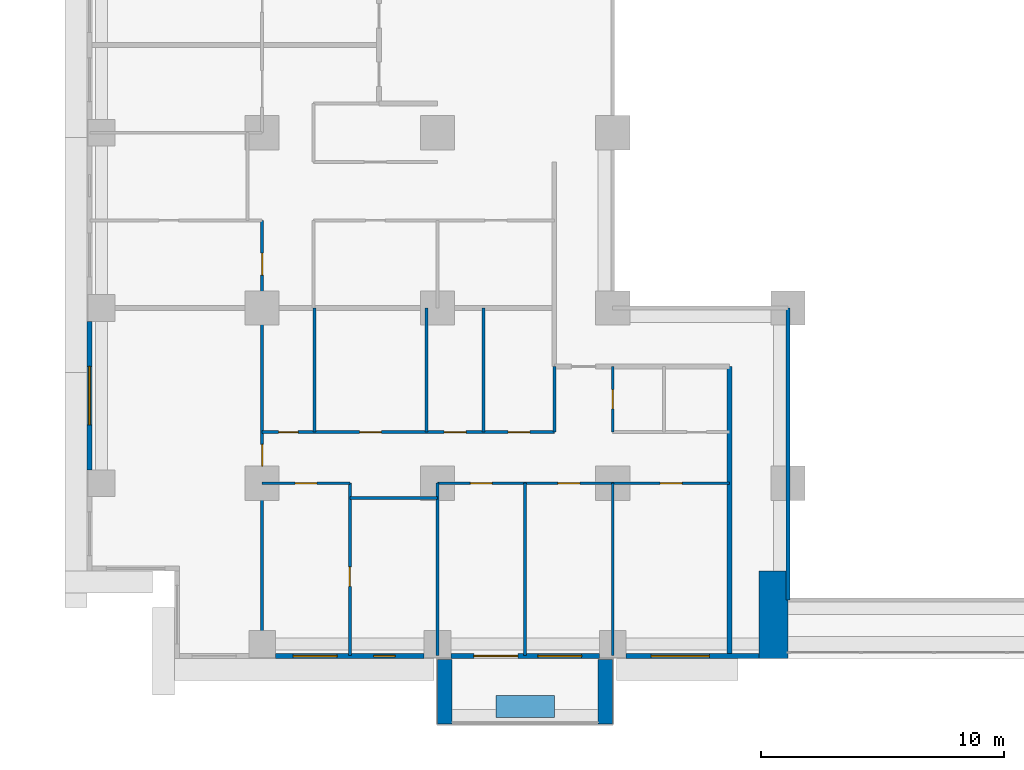
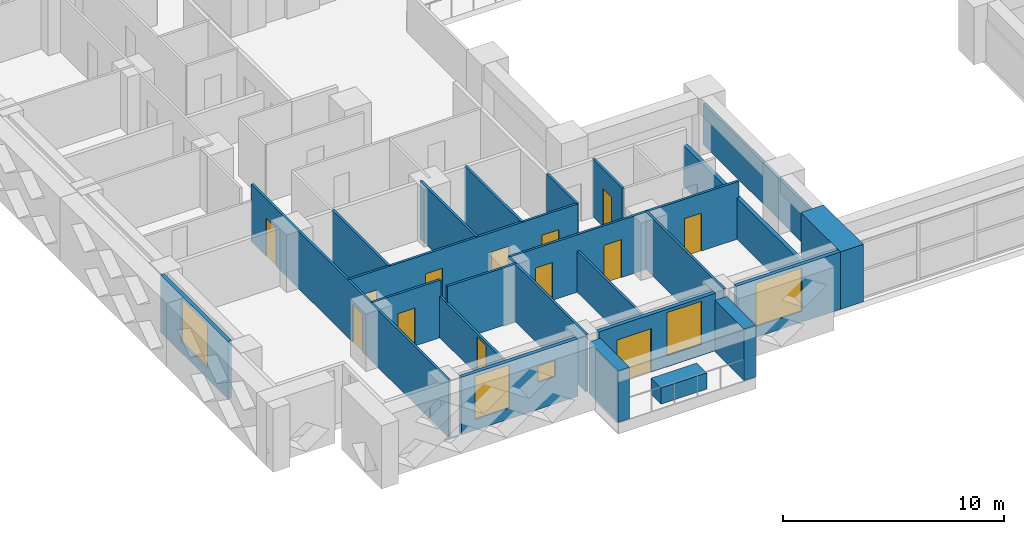
# One storey, part 6 of 17: 24 walls, 13 doors, 5 windows, 18 openings.
"""IFC4 building model written with IfcOpenShell, lengths in metres."""

from ifc_helpers import new_model, si_unit, direction, frame, frame_2d, origin, place, context, subcontext, project, spatial, rectangle, extrude, material, layer, layer_set, type_object, element, fill, save


model = new_model("IFC4")

# Units and contexts
model_context = context("Model", 3, precision=1e-05, world=origin(), true_north=direction((0.0, 1.0)))
body_context = subcontext(model_context, "Body", "Model", "MODEL_VIEW")
ifc_project = project(units=[si_unit("LENGTHUNIT", "METRE"), si_unit("AREAUNIT", "SQUARE_METRE"), si_unit("VOLUMEUNIT", "CUBIC_METRE"), si_unit("PLANEANGLEUNIT", "RADIAN"), si_unit("MASSUNIT", "GRAM", prefix="KILO")], contexts=[model_context])

# Site, building, storey
site_placement = place(None, origin())
site = spatial("IfcSite", under=ifc_project, at=site_placement, CompositionType="ELEMENT")
building_placement = place(site_placement, origin())
building = spatial("IfcBuilding", under=site, at=building_placement, Name="Saffron Iwan Residences", CompositionType="ELEMENT")
storey_placement = place(building_placement, frame((0.0, 0.0, 55.0)))
storey = spatial("IfcBuildingStorey", under=building, at=storey_placement, Name="L13", CompositionType="ELEMENT", Elevation=55.0)

# Walls
ifc_material_1 = material(Name="Fire-rated glazing", Category="glass")
ifc_layer_1 = layer(ifc_material_1, 0.14990234375)
ifc_layer_set_1 = layer_set([ifc_layer_1], Name="Fire-rated glazing")
wall_type_1 = type_object("IfcWallType", Name="Atrium glazed screen 150", PredefinedType="SOLIDWALL", material=ifc_layer_set_1)
wall_1_placement = place(storey_placement, frame((43.199951171875, 36.0, 0.0), z_axis=(0.0, 0.0, 1.0), x_axis=(0.0, 1.0, 0.0)))
element("IfcWall", 1, at=wall_1_placement, inside=storey, type_object=wall_type_1, Name="W-L13-SCREEN-v43.2-36", PredefinedType="SOLIDWALL", context=body_context, shape_type="SweptSolid", body=[
    extrude(rectangle(XDim=12.0, YDim=0.14990234375, at=frame_2d((6.0, 0.0))), origin(), (0.0, 0.0, 1.0), 2.280029296875),
])
ifc_material_2 = material(Name="Concrete C50/60 white painted", Category="concrete")
ifc_layer_2 = layer(ifc_material_2, 0.60009765625)
ifc_layer_set_2 = layer_set([ifc_layer_2], Name="Concrete C50/60 white painted")
wall_type_2 = type_object("IfcWallType", Name="BALCONY FIN 600", PredefinedType="SOLIDWALL", material=ifc_layer_set_2)
for number, where, z_axis, x_axis, name in (
    (2, (29.10009765625, 33.550048828125, 0.0), (0.0, 0.0, 1.0), (0.0, -1.0, 0.0), "Balcony fin L13 11-0a"),
    (3, (35.699951171875, 33.550048828125, 0.0), (0.0, 0.0, 1.0), (0.0, -1.0, 0.0), "Balcony fin L13 11-0b"),
):
    element("IfcWall", number, at=place(storey_placement, frame(where, z_axis=z_axis, x_axis=x_axis)), inside=storey, type_object=wall_type_2, Name=name, PredefinedType="SOLIDWALL", context=body_context, shape_type="SweptSolid", body=[
        extrude(rectangle(XDim=2.650146484375, YDim=0.60009765625, at=frame_2d((1.3251953125, 0.0))), origin(), (0.0, 0.0, 1.0), 2.85009765625),
    ])
ifc_material_3 = material(Name="Concrete C35/45 white painted", Category="concrete")
ifc_layer_3 = layer(ifc_material_3, 0.14990234375)
ifc_layer_set_3 = layer_set([ifc_layer_3], Name="Concrete C35/45 white painted")
wall_type_3 = type_object("IfcWallType", Name="BALCONY PLANTER", PredefinedType="SOLIDWALL", material=ifc_layer_set_3)
wall_2_placement = place(storey_placement, frame((31.199951171875, 31.625, 0.0), z_axis=(0.0, 0.0, 1.0), x_axis=(1.0, 0.0, 0.0)))
element("IfcWall", 4, at=wall_2_placement, inside=storey, type_object=wall_type_3, Name="PLANTER L13 11-0", PredefinedType="SOLIDWALL", context=body_context, shape_type="SweptSolid", body=[
    extrude(rectangle(XDim=2.400146484375, YDim=0.89990234375, at=frame_2d((1.2001953125, 0.0))), origin(), (0.0, 0.0, 1.0), 0.89990234375),
])

# Wall, opening, window
ifc_material_4 = material(Name="Concrete C40/50", Category="concrete")
ifc_layer_4 = layer(ifc_material_4, 0.199951171875)
ifc_layer_set_4 = layer_set([ifc_layer_4], Name="Concrete C40/50")
wall_type_4 = type_object("IfcWallType", Name="EXTERNAL WALL 200", PredefinedType="SOLIDWALL", material=ifc_layer_set_4)
wall_3_placement = place(storey_placement, frame((14.5, 47.449951171875, 0.0), z_axis=(0.0, 0.0, 1.0), x_axis=(0.0, -1.0, 0.0)))
wall_3 = element("IfcWall", 5, at=wall_3_placement, inside=storey, type_object=wall_type_4, Name="External wall L13 F8.4", PredefinedType="SOLIDWALL", context=body_context, shape_type="SweptSolid", body=[
    extrude(rectangle(XDim=6.099853515625, YDim=0.199951171875, at=frame_2d((3.0498046875, 0.0))), origin(), (0.0, 0.0, 1.0), 3.179931640625),
])
opening_1_placement = place(wall_3_placement, frame((1.85009765625, 0.0, 0.60009765625)))
opening_1 = element("IfcOpeningElement", 6, at=opening_1_placement, cuts=wall_3, Name="Opening W1", PredefinedType="OPENING", context=body_context, shape_type="SweptSolid", body=[
    extrude(rectangle(XDim=2.39990234375, YDim=2.39990234375, at=frame_2d((1.199951171875, 1.199951171875))), frame((0.0, 0.10986328125, 0.0), z_axis=(0.0, -1.0, 0.0), x_axis=(1.0, 0.0, 0.0)), (0.0, 0.0, 1.0), 0.219970703125),
])
ifc_material_5 = material(Name="Clear glass, laminated double glazed", Category="glass")
window_type_1 = type_object("IfcWindowType", Name="WINDOW 2400 x 2400", PartitioningType="DOUBLE_PANEL_VERTICAL", PredefinedType="WINDOW", material=ifc_material_5)
window_1_placement = place(opening_1_placement, origin())
window_1 = element("IfcWindow", 7, at=window_1_placement, inside=storey, type_object=window_type_1, Name="Window L13 F8.0", OverallHeight=2.39990234375, OverallWidth=2.39990234375, PartitioningType="DOUBLE_PANEL_VERTICAL", PredefinedType="WINDOW", context=body_context, shape_type="SweptSolid", body=[
    extrude(rectangle(XDim=2.39990234375, YDim=2.39990234375, at=frame_2d((1.199951171875, 1.199951171875))), frame((0.0, 0.030029296875, 0.0), z_axis=(0.0, -1.0, 0.0), x_axis=(1.0, 0.0, 0.0)), (0.0, 0.0, 1.0), 0.06005859375),
])
fill(opening_1, window_1)

# Wall, openings, windows
wall_4_placement = place(storey_placement, frame((22.14990234375, 33.699951171875, 0.0), z_axis=(0.0, 0.0, 1.0), x_axis=(1.0, 0.0, 0.0)))
wall_4 = element("IfcWall", 8, at=wall_4_placement, inside=storey, type_object=wall_type_4, Name="External wall L13 F11.1", PredefinedType="SOLIDWALL", context=body_context, shape_type="SweptSolid", body=[
    extrude(rectangle(XDim=6.10009765625, YDim=0.199951171875, at=frame_2d((3.050048828125, 0.0))), origin(), (0.0, 0.0, 1.0), 3.179931640625),
])
opening_2_placement = place(wall_4_placement, frame((0.72509765625, 0.0, 0.60009765625)))
opening_2 = element("IfcOpeningElement", 9, at=opening_2_placement, cuts=wall_4, Name="Opening W8", PredefinedType="OPENING", context=body_context, shape_type="SweptSolid", body=[
    extrude(rectangle(XDim=1.800048828125, YDim=2.39990234375, at=frame_2d((0.89990234375, 1.199951171875))), frame((0.0, 0.10986328125, 0.0), z_axis=(0.0, -1.0, 0.0), x_axis=(1.0, 0.0, 0.0)), (0.0, 0.0, 1.0), 0.219970703125),
])
opening_3_placement = place(wall_4_placement, frame((4.02490234375, 0.0, 1.5)))
opening_3 = element("IfcOpeningElement", 10, at=opening_3_placement, cuts=wall_4, Name="Opening W6", PredefinedType="OPENING", context=body_context, shape_type="SweptSolid", body=[
    extrude(rectangle(XDim=0.89990234375, YDim=0.89990234375, at=frame_2d((0.449951171875, 0.449951171875))), frame((0.0, 0.10986328125, 0.0), z_axis=(0.0, -1.0, 0.0), x_axis=(1.0, 0.0, 0.0)), (0.0, 0.0, 1.0), 0.219970703125),
])
window_type_2 = type_object("IfcWindowType", Name="WINDOW 1800 x 2400", PartitioningType="DOUBLE_PANEL_VERTICAL", PredefinedType="WINDOW", material=ifc_material_5)
window_2_placement = place(opening_2_placement, origin())
window_2 = element("IfcWindow", 11, at=window_2_placement, inside=storey, type_object=window_type_2, Name="Window L13 F11.0", OverallHeight=2.39990234375, OverallWidth=1.800048828125, PartitioningType="DOUBLE_PANEL_VERTICAL", PredefinedType="WINDOW", context=body_context, shape_type="SweptSolid", body=[
    extrude(rectangle(XDim=1.800048828125, YDim=2.39990234375, at=frame_2d((0.89990234375, 1.199951171875))), frame((0.0, 0.030029296875, 0.0), z_axis=(0.0, -1.0, 0.0), x_axis=(1.0, 0.0, 0.0)), (0.0, 0.0, 1.0), 0.06005859375),
])
fill(opening_2, window_2)
window_type_3 = type_object("IfcWindowType", Name="WINDOW 900 x 900 BATH", PartitioningType="SINGLE_PANEL", PredefinedType="WINDOW", material=ifc_material_5)
window_3_placement = place(opening_3_placement, origin())
window_3 = element("IfcWindow", 12, at=window_3_placement, inside=storey, type_object=window_type_3, Name="Window L13 F11.1", OverallHeight=0.89990234375, OverallWidth=0.89990234375, PartitioningType="SINGLE_PANEL", PredefinedType="WINDOW", context=body_context, shape_type="SweptSolid", body=[
    extrude(rectangle(XDim=0.89990234375, YDim=0.89990234375, at=frame_2d((0.449951171875, 0.449951171875))), frame((0.0, 0.030029296875, 0.0), z_axis=(0.0, -1.0, 0.0), x_axis=(1.0, 0.0, 0.0)), (0.0, 0.0, 1.0), 0.06005859375),
])
fill(opening_3, window_3)

# Wall, openings, door, window
wall_5_placement = place(storey_placement, frame((29.35009765625, 33.699951171875, 0.0), z_axis=(0.0, 0.0, 1.0), x_axis=(1.0, 0.0, 0.0)))
wall_5 = element("IfcWall", 13, at=wall_5_placement, inside=storey, type_object=wall_type_4, Name="External wall L13 F11.2", PredefinedType="SOLIDWALL", context=body_context, shape_type="SweptSolid", body=[
    extrude(rectangle(XDim=6.099853515625, YDim=0.199951171875, at=frame_2d((3.0498046875, 0.0))), origin(), (0.0, 0.0, 1.0), 3.179931640625),
])
opening_4_placement = place(wall_5_placement, frame((0.949951171875, 0.0, 0.0)))
opening_4 = element("IfcOpeningElement", 14, at=opening_4_placement, cuts=wall_5, Name="Opening BD1", PredefinedType="OPENING", context=body_context, shape_type="SweptSolid", body=[
    extrude(rectangle(XDim=1.800048828125, YDim=2.39990234375, at=frame_2d((0.89990234375, 1.199951171875))), frame((0.0, 0.10986328125, 0.0), z_axis=(0.0, -1.0, 0.0), x_axis=(1.0, 0.0, 0.0)), (0.0, 0.0, 1.0), 0.219970703125),
])
opening_5_placement = place(wall_5_placement, frame((3.574951171875, 0.0, 0.60009765625)))
opening_5 = element("IfcOpeningElement", 15, at=opening_5_placement, cuts=wall_5, Name="Opening W8", PredefinedType="OPENING", context=body_context, shape_type="SweptSolid", body=[
    extrude(rectangle(XDim=1.800048828125, YDim=2.39990234375, at=frame_2d((0.89990234375, 1.199951171875))), frame((0.0, 0.10986328125, 0.0), z_axis=(0.0, -1.0, 0.0), x_axis=(1.0, 0.0, 0.0)), (0.0, 0.0, 1.0), 0.219970703125),
])
door_type_1 = type_object("IfcDoorType", Name="BALCONY DOOR 1800 x 2400", OperationType="DOUBLE_DOOR_SLIDING", PredefinedType="DOOR", material=ifc_material_5)
door_1_placement = place(opening_4_placement, origin())
door_1 = element("IfcDoor", 16, at=door_1_placement, inside=storey, type_object=door_type_1, Name="Balcony door L13 F11.0", OperationType="DOUBLE_DOOR_SLIDING", OverallHeight=2.39990234375, OverallWidth=1.800048828125, PredefinedType="DOOR", context=body_context, shape_type="SweptSolid", body=[
    extrude(rectangle(XDim=1.800048828125, YDim=2.39990234375, at=frame_2d((0.89990234375, 1.199951171875))), frame((0.0, 0.02490234375, 0.0), z_axis=(0.0, -1.0, 0.0), x_axis=(1.0, 0.0, 0.0)), (0.0, 0.0, 1.0), 0.050048828125),
])
fill(opening_4, door_1)
window_4_placement = place(opening_5_placement, origin())
window_4 = element("IfcWindow", 17, at=window_4_placement, inside=storey, type_object=window_type_2, Name="Window L13 F11.1", OverallHeight=2.39990234375, OverallWidth=1.800048828125, PartitioningType="DOUBLE_PANEL_VERTICAL", PredefinedType="WINDOW", context=body_context, shape_type="SweptSolid", body=[
    extrude(rectangle(XDim=1.800048828125, YDim=2.39990234375, at=frame_2d((0.89990234375, 1.199951171875))), frame((0.0, 0.030029296875, 0.0), z_axis=(0.0, -1.0, 0.0), x_axis=(1.0, 0.0, 0.0)), (0.0, 0.0, 1.0), 0.06005859375),
])
fill(opening_5, window_4)

# Wall, opening, window
wall_6_placement = place(storey_placement, frame((36.550048828125, 33.699951171875, 0.0), z_axis=(0.0, 0.0, 1.0), x_axis=(1.0, 0.0, 0.0)))
wall_6 = element("IfcWall", 18, at=wall_6_placement, inside=storey, type_object=wall_type_4, Name="External wall L13 F11.3", PredefinedType="SOLIDWALL", context=body_context, shape_type="SweptSolid", body=[
    extrude(rectangle(XDim=5.449951171875, YDim=0.199951171875, at=frame_2d((2.72509765625, 0.0))), origin(), (0.0, 0.0, 1.0), 3.179931640625),
])
opening_6_placement = place(wall_6_placement, frame((1.02490234375, 0.0, 0.60009765625)))
opening_6 = element("IfcOpeningElement", 19, at=opening_6_placement, cuts=wall_6, Name="Opening W1", PredefinedType="OPENING", context=body_context, shape_type="SweptSolid", body=[
    extrude(rectangle(XDim=2.39990234375, YDim=2.39990234375, at=frame_2d((1.199951171875, 1.199951171875))), frame((0.0, 0.10986328125, 0.0), z_axis=(0.0, -1.0, 0.0), x_axis=(1.0, 0.0, 0.0)), (0.0, 0.0, 1.0), 0.219970703125),
])
window_5_placement = place(opening_6_placement, origin())
window_5 = element("IfcWindow", 20, at=window_5_placement, inside=storey, type_object=window_type_1, Name="Window L13 F11.0", OverallHeight=2.39990234375, OverallWidth=2.39990234375, PartitioningType="DOUBLE_PANEL_VERTICAL", PredefinedType="WINDOW", context=body_context, shape_type="SweptSolid", body=[
    extrude(rectangle(XDim=2.39990234375, YDim=2.39990234375, at=frame_2d((1.199951171875, 1.199951171875))), frame((0.0, 0.030029296875, 0.0), z_axis=(0.0, -1.0, 0.0), x_axis=(1.0, 0.0, 0.0)), (0.0, 0.0, 1.0), 0.06005859375),
])
fill(opening_6, window_5)

# Wall
ifc_material_6 = material(Name="Gypsum board partition")
ifc_layer_5 = layer(ifc_material_6, 0.1201171875)
ifc_layer_set_5 = layer_set([ifc_layer_5], Name="Gypsum board partition")
wall_type_5 = type_object("IfcWallType", Name="Flat partition 120", PredefinedType="PARTITIONING", material=ifc_layer_set_5)
wall_7_placement = place(storey_placement, frame((25.199951171875, 40.199951171875, 0.0), z_axis=(0.0, 0.0, 1.0), x_axis=(1.0, 0.0, 0.0)))
element("IfcWall", 21, at=wall_7_placement, inside=storey, type_object=wall_type_5, Name="W-L13-PART-h40.2-25.2", PredefinedType="PARTITIONING", context=body_context, shape_type="SweptSolid", body=[
    extrude(rectangle(XDim=3.60009765625, YDim=0.1201171875, at=frame_2d((1.800048828125, 0.0))), origin(), (0.0, 0.0, 1.0), 3.179931640625),
])

# Wall, opening, door
wall_8_placement = place(storey_placement, frame((21.60009765625, 40.800048828125, 0.0), z_axis=(0.0, 0.0, 1.0), x_axis=(1.0, 0.0, 0.0)))
wall_8 = element("IfcWall", 22, at=wall_8_placement, inside=storey, type_object=wall_type_5, Name="W-L13-PART-h40.8-21.6", PredefinedType="PARTITIONING", context=body_context, shape_type="SweptSolid", body=[
    extrude(rectangle(XDim=3.599853515625, YDim=0.1201171875, at=frame_2d((1.7998046875, 0.0))), origin(), (0.0, 0.0, 1.0), 3.179931640625),
])
opening_7_placement = place(wall_8_placement, frame((1.35009765625, 0.0, 0.0)))
opening_7 = element("IfcOpeningElement", 23, at=opening_7_placement, cuts=wall_8, Name="Opening FD2", PredefinedType="OPENING", context=body_context, shape_type="SweptSolid", body=[
    extrude(rectangle(XDim=0.89990234375, YDim=2.10009765625, at=frame_2d((0.449951171875, 1.050048828125))), frame((0.0, 0.070068359375, 0.0), z_axis=(0.0, -1.0, 0.0), x_axis=(1.0, 0.0, 0.0)), (0.0, 0.0, 1.0), 0.14013671875),
])
ifc_material_7 = material(Name="Timber door", Category="wood")
door_type_2 = type_object("IfcDoorType", Name="Flat door 900", OperationType="NOTDEFINED", PredefinedType="DOOR", material=ifc_material_7)
door_2_placement = place(opening_7_placement, origin())
door_2 = element("IfcDoor", 24, at=door_2_placement, inside=storey, type_object=door_type_2, Name="Door L13-003", OperationType="SINGLE_SWING_RIGHT", OverallHeight=2.10009765625, OverallWidth=0.89990234375, PredefinedType="DOOR", context=body_context, shape_type="SweptSolid", body=[
    extrude(rectangle(XDim=0.89990234375, YDim=2.10009765625, at=frame_2d((0.449951171875, 1.050048828125))), frame((0.0, 0.02490234375, 0.0), z_axis=(0.0, -1.0, 0.0), x_axis=(1.0, 0.0, 0.0)), (0.0, 0.0, 1.0), 0.050048828125),
])
fill(opening_7, door_2)

# Wall, openings, doors
wall_9_placement = place(storey_placement, frame((28.800048828125, 40.800048828125, 0.0), z_axis=(0.0, 0.0, 1.0), x_axis=(1.0, 0.0, 0.0)))
wall_9 = element("IfcWall", 25, at=wall_9_placement, inside=storey, type_object=wall_type_5, Name="W-L13-PART-h40.8-28.8", PredefinedType="PARTITIONING", context=body_context, shape_type="SweptSolid", body=[
    extrude(rectangle(XDim=12.0, YDim=0.1201171875, at=frame_2d((6.0, 0.0))), origin(), (0.0, 0.0, 1.0), 3.179931640625),
])
opening_8_placement = place(wall_9_placement, frame((1.35009765625, 0.0, 0.0)))
opening_8 = element("IfcOpeningElement", 26, at=opening_8_placement, cuts=wall_9, Name="Opening FD2", PredefinedType="OPENING", context=body_context, shape_type="SweptSolid", body=[
    extrude(rectangle(XDim=0.89990234375, YDim=2.10009765625, at=frame_2d((0.449951171875, 1.050048828125))), frame((0.0, 0.070068359375, 0.0), z_axis=(0.0, -1.0, 0.0), x_axis=(1.0, 0.0, 0.0)), (0.0, 0.0, 1.0), 0.14013671875),
])
opening_9_placement = place(wall_9_placement, frame((4.949951171875, 0.0, 0.0)))
opening_9 = element("IfcOpeningElement", 27, at=opening_9_placement, cuts=wall_9, Name="Opening FD2", PredefinedType="OPENING", context=body_context, shape_type="SweptSolid", body=[
    extrude(rectangle(XDim=0.89990234375, YDim=2.10009765625, at=frame_2d((0.449951171875, 1.050048828125))), frame((0.0, 0.070068359375, 0.0), z_axis=(0.0, -1.0, 0.0), x_axis=(1.0, 0.0, 0.0)), (0.0, 0.0, 1.0), 0.14013671875),
])
opening_10_placement = place(wall_9_placement, frame((9.14990234375, 0.0, 0.0)))
opening_10 = element("IfcOpeningElement", 28, at=opening_10_placement, cuts=wall_9, Name="Opening FD2", PredefinedType="OPENING", context=body_context, shape_type="SweptSolid", body=[
    extrude(rectangle(XDim=0.89990234375, YDim=2.10009765625, at=frame_2d((0.449951171875, 1.050048828125))), frame((0.0, 0.070068359375, 0.0), z_axis=(0.0, -1.0, 0.0), x_axis=(1.0, 0.0, 0.0)), (0.0, 0.0, 1.0), 0.14013671875),
])
door_3_placement = place(opening_8_placement, origin())
door_3 = element("IfcDoor", 29, at=door_3_placement, inside=storey, type_object=door_type_2, Name="Door L13-005", OperationType="SINGLE_SWING_LEFT", OverallHeight=2.10009765625, OverallWidth=0.89990234375, PredefinedType="DOOR", context=body_context, shape_type="SweptSolid", body=[
    extrude(rectangle(XDim=0.89990234375, YDim=2.10009765625, at=frame_2d((0.449951171875, 1.050048828125))), frame((0.0, 0.02490234375, 0.0), z_axis=(0.0, -1.0, 0.0), x_axis=(1.0, 0.0, 0.0)), (0.0, 0.0, 1.0), 0.050048828125),
])
fill(opening_8, door_3)
door_4_placement = place(opening_9_placement, origin())
door_4 = element("IfcDoor", 30, at=door_4_placement, inside=storey, type_object=door_type_2, Name="Door L13-006", OperationType="SINGLE_SWING_RIGHT", OverallHeight=2.10009765625, OverallWidth=0.89990234375, PredefinedType="DOOR", context=body_context, shape_type="SweptSolid", body=[
    extrude(rectangle(XDim=0.89990234375, YDim=2.10009765625, at=frame_2d((0.449951171875, 1.050048828125))), frame((0.0, 0.02490234375, 0.0), z_axis=(0.0, -1.0, 0.0), x_axis=(1.0, 0.0, 0.0)), (0.0, 0.0, 1.0), 0.050048828125),
])
fill(opening_9, door_4)
door_5_placement = place(opening_10_placement, origin())
door_5 = element("IfcDoor", 31, at=door_5_placement, inside=storey, type_object=door_type_2, Name="Door L13-007", OperationType="SINGLE_SWING_LEFT", OverallHeight=2.10009765625, OverallWidth=0.89990234375, PredefinedType="DOOR", context=body_context, shape_type="SweptSolid", body=[
    extrude(rectangle(XDim=0.89990234375, YDim=2.10009765625, at=frame_2d((0.449951171875, 1.050048828125))), frame((0.0, 0.02490234375, 0.0), z_axis=(0.0, -1.0, 0.0), x_axis=(1.0, 0.0, 0.0)), (0.0, 0.0, 1.0), 0.050048828125),
])
fill(opening_10, door_5)

wall_10_placement = place(storey_placement, frame((21.60009765625, 42.89990234375, 0.0), z_axis=(0.0, 0.0, 1.0), x_axis=(1.0, 0.0, 0.0)))
wall_10 = element("IfcWall", 32, at=wall_10_placement, inside=storey, type_object=wall_type_5, Name="W-L13-PART-h42.9-21.6", PredefinedType="PARTITIONING", context=body_context, shape_type="SweptSolid", body=[
    extrude(rectangle(XDim=12.0, YDim=0.1201171875, at=frame_2d((6.0, 0.0))), origin(), (0.0, 0.0, 1.0), 3.179931640625),
])
opening_11_placement = place(wall_10_placement, frame((0.675048828125, 0.0, 0.0)))
opening_11 = element("IfcOpeningElement", 33, at=opening_11_placement, cuts=wall_10, Name="Opening FD3", PredefinedType="OPENING", context=body_context, shape_type="SweptSolid", body=[
    extrude(rectangle(XDim=0.800048828125, YDim=2.10009765625, at=frame_2d((0.39990234375, 1.050048828125))), frame((0.0, 0.070068359375, 0.0), z_axis=(0.0, -1.0, 0.0), x_axis=(1.0, 0.0, 0.0)), (0.0, 0.0, 1.0), 0.14013671875),
])
opening_12_placement = place(wall_10_placement, frame((4.0, 0.0, 0.0)))
opening_12 = element("IfcOpeningElement", 34, at=opening_12_placement, cuts=wall_10, Name="Opening FD2", PredefinedType="OPENING", context=body_context, shape_type="SweptSolid", body=[
    extrude(rectangle(XDim=0.89990234375, YDim=2.10009765625, at=frame_2d((0.449951171875, 1.050048828125))), frame((0.0, 0.070068359375, 0.0), z_axis=(0.0, -1.0, 0.0), x_axis=(1.0, 0.0, 0.0)), (0.0, 0.0, 1.0), 0.14013671875),
])
opening_13_placement = place(wall_10_placement, frame((7.47509765625, 0.0, 0.0)))
opening_13 = element("IfcOpeningElement", 35, at=opening_13_placement, cuts=wall_10, Name="Opening FD2", PredefinedType="OPENING", context=body_context, shape_type="SweptSolid", body=[
    extrude(rectangle(XDim=0.89990234375, YDim=2.10009765625, at=frame_2d((0.449951171875, 1.050048828125))), frame((0.0, 0.070068359375, 0.0), z_axis=(0.0, -1.0, 0.0), x_axis=(1.0, 0.0, 0.0)), (0.0, 0.0, 1.0), 0.14013671875),
])
opening_14_placement = place(wall_10_placement, frame((10.10009765625, 0.0, 0.0)))
opening_14 = element("IfcOpeningElement", 36, at=opening_14_placement, cuts=wall_10, Name="Opening FD2", PredefinedType="OPENING", context=body_context, shape_type="SweptSolid", body=[
    extrude(rectangle(XDim=0.89990234375, YDim=2.10009765625, at=frame_2d((0.449951171875, 1.050048828125))), frame((0.0, 0.070068359375, 0.0), z_axis=(0.0, -1.0, 0.0), x_axis=(1.0, 0.0, 0.0)), (0.0, 0.0, 1.0), 0.14013671875),
])
door_type_3 = type_object("IfcDoorType", Name="Bathroom door 800", OperationType="NOTDEFINED", PredefinedType="DOOR", material=ifc_material_7)
door_6_placement = place(opening_11_placement, origin())
door_6 = element("IfcDoor", 37, at=door_6_placement, inside=storey, type_object=door_type_3, Name="Door L13-008", OperationType="SINGLE_SWING_LEFT", OverallHeight=2.10009765625, OverallWidth=0.800048828125, PredefinedType="DOOR", context=body_context, shape_type="SweptSolid", body=[
    extrude(rectangle(XDim=0.800048828125, YDim=2.10009765625, at=frame_2d((0.39990234375, 1.050048828125))), frame((0.0, 0.02490234375, 0.0), z_axis=(0.0, -1.0, 0.0), x_axis=(1.0, 0.0, 0.0)), (0.0, 0.0, 1.0), 0.050048828125),
])
fill(opening_11, door_6)
door_7_placement = place(opening_12_placement, origin())
door_7 = element("IfcDoor", 38, at=door_7_placement, inside=storey, type_object=door_type_2, Name="Door L13-009", OperationType="SINGLE_SWING_RIGHT", OverallHeight=2.10009765625, OverallWidth=0.89990234375, PredefinedType="DOOR", context=body_context, shape_type="SweptSolid", body=[
    extrude(rectangle(XDim=0.89990234375, YDim=2.10009765625, at=frame_2d((0.449951171875, 1.050048828125))), frame((0.0, 0.02490234375, 0.0), z_axis=(0.0, -1.0, 0.0), x_axis=(1.0, 0.0, 0.0)), (0.0, 0.0, 1.0), 0.050048828125),
])
fill(opening_12, door_7)
door_8_placement = place(opening_13_placement, origin())
door_8 = element("IfcDoor", 39, at=door_8_placement, inside=storey, type_object=door_type_2, Name="Door L13-010", OperationType="SINGLE_SWING_LEFT", OverallHeight=2.10009765625, OverallWidth=0.89990234375, PredefinedType="DOOR", context=body_context, shape_type="SweptSolid", body=[
    extrude(rectangle(XDim=0.89990234375, YDim=2.10009765625, at=frame_2d((0.449951171875, 1.050048828125))), frame((0.0, 0.02490234375, 0.0), z_axis=(0.0, -1.0, 0.0), x_axis=(1.0, 0.0, 0.0)), (0.0, 0.0, 1.0), 0.050048828125),
])
fill(opening_13, door_8)
door_9_placement = place(opening_14_placement, origin())
door_9 = element("IfcDoor", 40, at=door_9_placement, inside=storey, type_object=door_type_2, Name="Door L13-011", OperationType="SINGLE_SWING_LEFT", OverallHeight=2.10009765625, OverallWidth=0.89990234375, PredefinedType="DOOR", context=body_context, shape_type="SweptSolid", body=[
    extrude(rectangle(XDim=0.89990234375, YDim=2.10009765625, at=frame_2d((0.449951171875, 1.050048828125))), frame((0.0, 0.02490234375, 0.0), z_axis=(0.0, -1.0, 0.0), x_axis=(1.0, 0.0, 0.0)), (0.0, 0.0, 1.0), 0.050048828125),
])
fill(opening_14, door_9)

wall_11_placement = place(storey_placement, frame((21.60009765625, 33.72509765625, 0.0), z_axis=(0.0, 0.0, 1.0), x_axis=(0.0, 1.0, 0.0)))
wall_11 = element("IfcWall", 41, at=wall_11_placement, inside=storey, type_object=wall_type_5, Name="W-L13-PART-v21.6-33.725", PredefinedType="PARTITIONING", context=body_context, shape_type="SweptSolid", body=[
    extrude(rectangle(XDim=17.875, YDim=0.1201171875, at=frame_2d((8.9375, 0.0))), origin(), (0.0, 0.0, 1.0), 3.179931640625),
])
opening_15_placement = place(wall_11_placement, frame((7.77490234375, 0.0, 0.0)))
opening_15 = element("IfcOpeningElement", 42, at=opening_15_placement, cuts=wall_11, Name="Opening FD2", PredefinedType="OPENING", context=body_context, shape_type="SweptSolid", body=[
    extrude(rectangle(XDim=0.89990234375, YDim=2.10009765625, at=frame_2d((0.449951171875, 1.050048828125))), frame((0.0, 0.070068359375, 0.0), z_axis=(0.0, -1.0, 0.0), x_axis=(1.0, 0.0, 0.0)), (0.0, 0.0, 1.0), 0.14013671875),
])
opening_16_placement = place(wall_11_placement, frame((15.625, 0.0, 0.0)))
opening_16 = element("IfcOpeningElement", 43, at=opening_16_placement, cuts=wall_11, Name="Opening FD2", PredefinedType="OPENING", context=body_context, shape_type="SweptSolid", body=[
    extrude(rectangle(XDim=0.89990234375, YDim=2.10009765625, at=frame_2d((0.449951171875, 1.050048828125))), frame((0.0, 0.070068359375, 0.0), z_axis=(0.0, -1.0, 0.0), x_axis=(1.0, 0.0, 0.0)), (0.0, 0.0, 1.0), 0.14013671875),
])
door_10_placement = place(opening_15_placement, origin())
door_10 = element("IfcDoor", 44, at=door_10_placement, inside=storey, type_object=door_type_2, Name="Door L13-002", OperationType="SINGLE_SWING_RIGHT", OverallHeight=2.10009765625, OverallWidth=0.89990234375, PredefinedType="DOOR", context=body_context, shape_type="SweptSolid", body=[
    extrude(rectangle(XDim=0.89990234375, YDim=2.10009765625, at=frame_2d((0.449951171875, 1.050048828125))), frame((0.0, 0.02490234375, 0.0), z_axis=(0.0, -1.0, 0.0), x_axis=(1.0, 0.0, 0.0)), (0.0, 0.0, 1.0), 0.050048828125),
])
fill(opening_15, door_10)
door_11_placement = place(opening_16_placement, origin())
door_11 = element("IfcDoor", 45, at=door_11_placement, inside=storey, type_object=door_type_2, Name="Door L13-015", OperationType="SINGLE_SWING_RIGHT", OverallHeight=2.10009765625, OverallWidth=0.89990234375, PredefinedType="DOOR", context=body_context, shape_type="SweptSolid", body=[
    extrude(rectangle(XDim=0.89990234375, YDim=2.10009765625, at=frame_2d((0.449951171875, 1.050048828125))), frame((0.0, 0.02490234375, 0.0), z_axis=(0.0, -1.0, 0.0), x_axis=(1.0, 0.0, 0.0)), (0.0, 0.0, 1.0), 0.050048828125),
])
fill(opening_16, door_11)

# Wall
wall_12_placement = place(storey_placement, frame((23.75, 42.89990234375, 0.0), z_axis=(0.0, 0.0, 1.0), x_axis=(0.0, 1.0, 0.0)))
element("IfcWall", 46, at=wall_12_placement, inside=storey, type_object=wall_type_5, Name="W-L13-PART-v23.75-42.9", PredefinedType="PARTITIONING", context=body_context, shape_type="SweptSolid", body=[
    extrude(rectangle(XDim=5.10009765625, YDim=0.1201171875, at=frame_2d((2.550048828125, 0.0))), origin(), (0.0, 0.0, 1.0), 3.179931640625),
])

# Wall, opening, door
wall_13_placement = place(storey_placement, frame((25.199951171875, 33.72509765625, 0.0), z_axis=(0.0, 0.0, 1.0), x_axis=(0.0, 1.0, 0.0)))
wall_13 = element("IfcWall", 47, at=wall_13_placement, inside=storey, type_object=wall_type_5, Name="W-L13-PART-v25.2-33.725", PredefinedType="PARTITIONING", context=body_context, shape_type="SweptSolid", body=[
    extrude(rectangle(XDim=7.074951171875, YDim=0.1201171875, at=frame_2d((3.53759765625, 0.0))), origin(), (0.0, 0.0, 1.0), 2.280029296875),
])
opening_17_placement = place(wall_13_placement, frame((2.83740234375, 0.0, 0.0)))
opening_17 = element("IfcOpeningElement", 48, at=opening_17_placement, cuts=wall_13, Name="Opening FD3", PredefinedType="OPENING", context=body_context, shape_type="SweptSolid", body=[
    extrude(rectangle(XDim=0.800048828125, YDim=2.10009765625, at=frame_2d((0.39990234375, 1.050048828125))), frame((0.0, 0.070068359375, 0.0), z_axis=(0.0, -1.0, 0.0), x_axis=(1.0, 0.0, 0.0)), (0.0, 0.0, 1.0), 0.14013671875),
])
door_12_placement = place(opening_17_placement, origin())
door_12 = element("IfcDoor", 49, at=door_12_placement, inside=storey, type_object=door_type_3, Name="Door L13-004", OperationType="SINGLE_SWING_LEFT", OverallHeight=2.10009765625, OverallWidth=0.800048828125, PredefinedType="DOOR", context=body_context, shape_type="SweptSolid", body=[
    extrude(rectangle(XDim=0.800048828125, YDim=2.10009765625, at=frame_2d((0.39990234375, 1.050048828125))), frame((0.0, 0.02490234375, 0.0), z_axis=(0.0, -1.0, 0.0), x_axis=(1.0, 0.0, 0.0)), (0.0, 0.0, 1.0), 0.050048828125),
])
fill(opening_17, door_12)

# Walls
wall_14_placement = place(storey_placement, frame((28.35009765625, 42.89990234375, 0.0), z_axis=(0.0, 0.0, 1.0), x_axis=(0.0, 1.0, 0.0)))
element("IfcWall", 50, at=wall_14_placement, inside=storey, type_object=wall_type_5, Name="W-L13-PART-v28.35-42.9", PredefinedType="PARTITIONING", context=body_context, shape_type="SweptSolid", body=[
    extrude(rectangle(XDim=5.10009765625, YDim=0.1201171875, at=frame_2d((2.550048828125, 0.0))), origin(), (0.0, 0.0, 1.0), 3.179931640625),
])
wall_15_placement = place(storey_placement, frame((28.800048828125, 33.72509765625, 0.0), z_axis=(0.0, 0.0, 1.0), x_axis=(0.0, 1.0, 0.0)))
element("IfcWall", 51, at=wall_15_placement, inside=storey, type_object=wall_type_5, Name="W-L13-PART-v28.8-33.725", PredefinedType="PARTITIONING", context=body_context, shape_type="SweptSolid", body=[
    extrude(rectangle(XDim=7.074951171875, YDim=0.1201171875, at=frame_2d((3.53759765625, 0.0))), origin(), (0.0, 0.0, 1.0), 3.179931640625),
])
wall_16_placement = place(storey_placement, frame((30.699951171875, 42.89990234375, 0.0), z_axis=(0.0, 0.0, 1.0), x_axis=(0.0, 1.0, 0.0)))
element("IfcWall", 52, at=wall_16_placement, inside=storey, type_object=wall_type_5, Name="W-L13-PART-v30.7-42.9", PredefinedType="PARTITIONING", context=body_context, shape_type="SweptSolid", body=[
    extrude(rectangle(XDim=5.10009765625, YDim=0.1201171875, at=frame_2d((2.550048828125, 0.0))), origin(), (0.0, 0.0, 1.0), 3.179931640625),
])
wall_17_placement = place(storey_placement, frame((32.39990234375, 33.72509765625, 0.0), z_axis=(0.0, 0.0, 1.0), x_axis=(0.0, 1.0, 0.0)))
element("IfcWall", 53, at=wall_17_placement, inside=storey, type_object=wall_type_5, Name="W-L13-PART-v32.4-33.725", PredefinedType="PARTITIONING", context=body_context, shape_type="SweptSolid", body=[
    extrude(rectangle(XDim=7.074951171875, YDim=0.1201171875, at=frame_2d((3.53759765625, 0.0))), origin(), (0.0, 0.0, 1.0), 2.280029296875),
])
wall_18_placement = place(storey_placement, frame((33.60009765625, 42.89990234375, 0.0), z_axis=(0.0, 0.0, 1.0), x_axis=(0.0, 1.0, 0.0)))
element("IfcWall", 54, at=wall_18_placement, inside=storey, type_object=wall_type_5, Name="W-L13-PART-v33.6-42.9", PredefinedType="PARTITIONING", context=body_context, shape_type="SweptSolid", body=[
    extrude(rectangle(XDim=2.7001953125, YDim=0.1201171875, at=frame_2d((1.35009765625, 0.0))), origin(), (0.0, 0.0, 1.0), 3.179931640625),
])
wall_19_placement = place(storey_placement, frame((36.0, 33.72509765625, 0.0), z_axis=(0.0, 0.0, 1.0), x_axis=(0.0, 1.0, 0.0)))
element("IfcWall", 55, at=wall_19_placement, inside=storey, type_object=wall_type_5, Name="W-L13-PART-v36-33.725", PredefinedType="PARTITIONING", context=body_context, shape_type="SweptSolid", body=[
    extrude(rectangle(XDim=7.074951171875, YDim=0.1201171875, at=frame_2d((3.53759765625, 0.0))), origin(), (0.0, 0.0, 1.0), 3.179931640625),
])

# Wall, opening, door
wall_20_placement = place(storey_placement, frame((36.0, 42.89990234375, 0.0), z_axis=(0.0, 0.0, 1.0), x_axis=(0.0, 1.0, 0.0)))
wall_20 = element("IfcWall", 56, at=wall_20_placement, inside=storey, type_object=wall_type_5, Name="W-L13-PART-v36-42.9", PredefinedType="PARTITIONING", context=body_context, shape_type="SweptSolid", body=[
    extrude(rectangle(XDim=2.7001953125, YDim=0.1201171875, at=frame_2d((1.35009765625, 0.0))), origin(), (0.0, 0.0, 1.0), 3.179931640625),
])
opening_18_placement = place(wall_20_placement, frame((0.949951171875, 0.0, 0.0)))
opening_18 = element("IfcOpeningElement", 57, at=opening_18_placement, cuts=wall_20, Name="Opening FD3", PredefinedType="OPENING", context=body_context, shape_type="SweptSolid", body=[
    extrude(rectangle(XDim=0.800048828125, YDim=2.10009765625, at=frame_2d((0.39990234375, 1.050048828125))), frame((0.0, 0.070068359375, 0.0), z_axis=(0.0, -1.0, 0.0), x_axis=(1.0, 0.0, 0.0)), (0.0, 0.0, 1.0), 0.14013671875),
])
door_13_placement = place(opening_18_placement, origin())
door_13 = element("IfcDoor", 58, at=door_13_placement, inside=storey, type_object=door_type_3, Name="Door L13-012", OperationType="SINGLE_SWING_RIGHT", OverallHeight=2.10009765625, OverallWidth=0.800048828125, PredefinedType="DOOR", context=body_context, shape_type="SweptSolid", body=[
    extrude(rectangle(XDim=0.800048828125, YDim=2.10009765625, at=frame_2d((0.39990234375, 1.050048828125))), frame((0.0, 0.02490234375, 0.0), z_axis=(0.0, -1.0, 0.0), x_axis=(1.0, 0.0, 0.0)), (0.0, 0.0, 1.0), 0.050048828125),
])
fill(opening_18, door_13)

# Walls
ifc_material_8 = material(Name="Fire-rated gypsum board wall")
ifc_layer_6 = layer(ifc_material_8, 0.199951171875)
ifc_layer_set_6 = layer_set([ifc_layer_6], Name="Fire-rated gypsum board wall")
wall_type_6 = type_object("IfcWallType", Name="Gallery wall 200", PredefinedType="SOLIDWALL", material=ifc_layer_set_6)
wall_21_placement = place(storey_placement, frame((40.800048828125, 33.72509765625, 0.0), z_axis=(0.0, 0.0, 1.0), x_axis=(0.0, 1.0, 0.0)))
element("IfcWall", 59, at=wall_21_placement, inside=storey, type_object=wall_type_6, Name="W-L13-CORR-v40.8-33.725", PredefinedType="SOLIDWALL", context=body_context, shape_type="SweptSolid", body=[
    extrude(rectangle(XDim=11.875, YDim=0.199951171875, at=frame_2d((5.9375, 0.0))), origin(), (0.0, 0.0, 1.0), 2.280029296875),
])
ifc_material_9 = material(Name="Concrete C60/75", Category="concrete")
ifc_layer_7 = layer(ifc_material_9, 1.199951171875)
ifc_layer_set_7 = layer_set([ifc_layer_7], Name="Concrete C60/75")
wall_type_7 = type_object("IfcWallType", Name="WALL IWAN PIER 1200 C60/75 3180 HIGH", PredefinedType="SHEAR", material=ifc_layer_set_7)
wall_22_placement = place(storey_placement, frame((42.60009765625, 33.60009765625, 0.0), z_axis=(0.0, 0.0, 1.0), x_axis=(0.0, 1.0, 0.0)))
element("IfcWall", 60, at=wall_22_placement, inside=storey, type_object=wall_type_7, Name="IWAN PIER", PredefinedType="SHEAR", context=body_context, shape_type="SweptSolid", body=[
    extrude(rectangle(XDim=3.599853515625, YDim=1.199951171875, at=frame_2d((1.7998046875, 0.0))), origin(), (0.0, 0.0, 1.0), 3.179931640625),
])

save(model, "model.ifc")
